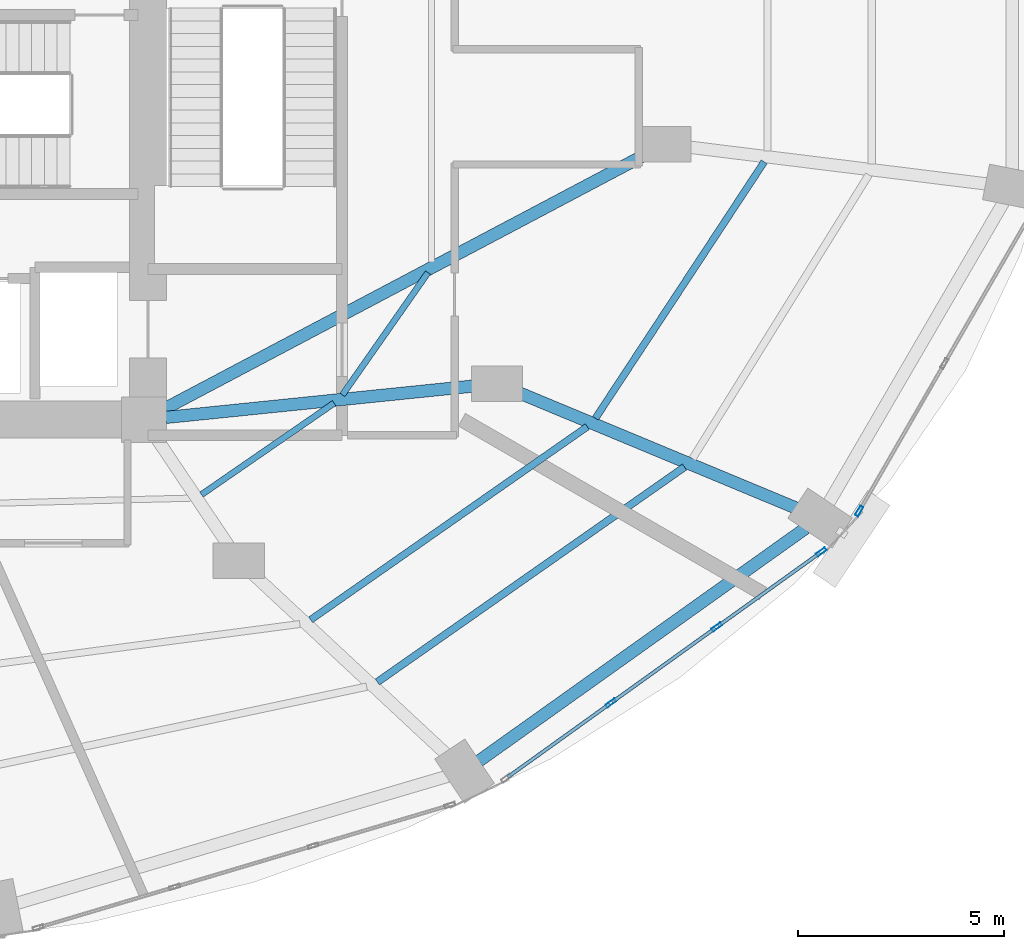
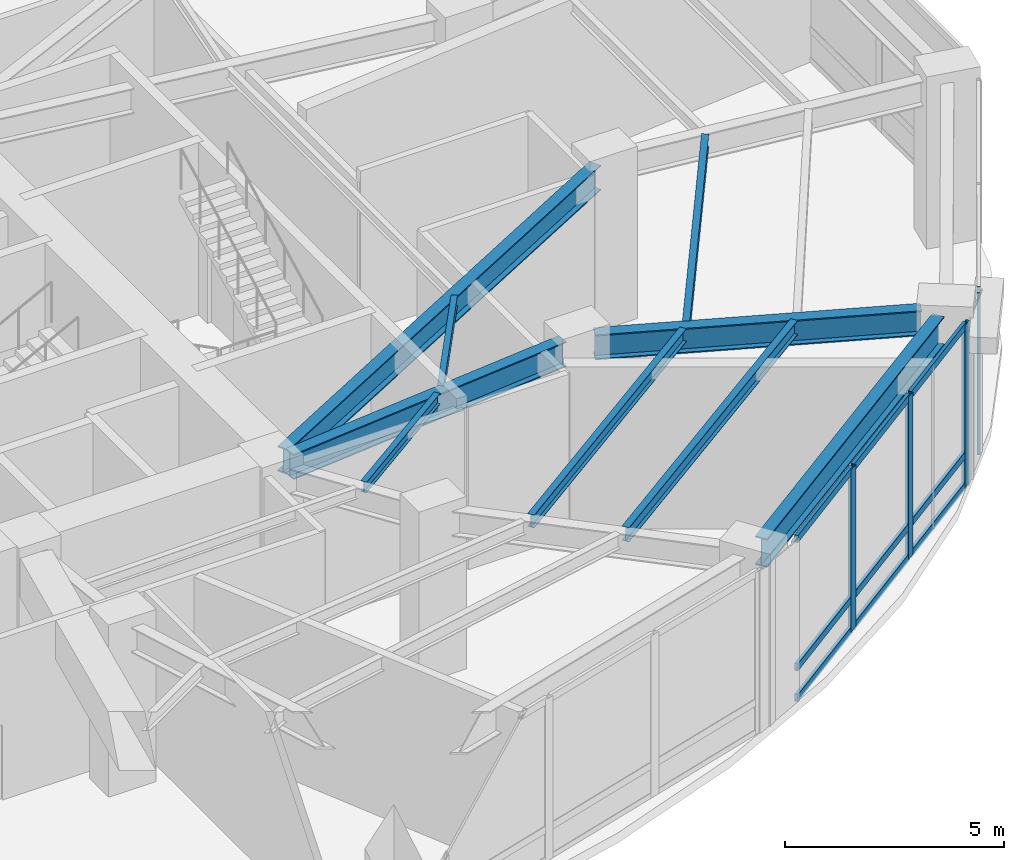
# One storey, part 11 of 24: 13 members, 9 beams, 2 elements without a shape of their own.
"""IFC4 building model written with IfcOpenShell, lengths in metres."""

from ifc_helpers import new_model, si_unit, direction, frame, origin, origin_2d, place, context, subcontext, project, spatial, hollow_rectangle, i_section, extrude, material, layer, layer_set, material_profile, profile_set, type_object, element, aggregate, save


model = new_model("IFC4")

# Units and contexts
model_context = context("Model", 3, precision=1e-05, world=origin(), true_north=direction((0.0, 1.0)))
body_context = subcontext(model_context, "Body", "Model", "MODEL_VIEW")
ifc_project = project(units=[si_unit("LENGTHUNIT", "METRE"), si_unit("AREAUNIT", "SQUARE_METRE"), si_unit("VOLUMEUNIT", "CUBIC_METRE"), si_unit("PLANEANGLEUNIT", "RADIAN"), si_unit("MASSUNIT", "GRAM", prefix="KILO")], contexts=[model_context])

# Site, building, storey
site_placement = place(None, origin())
site = spatial("IfcSite", under=ifc_project, at=site_placement, CompositionType="ELEMENT")
building_placement = place(site_placement, origin())
building = spatial("IfcBuilding", under=site, at=building_placement, Name="Lazwardi Medical Tower", CompositionType="ELEMENT")
storey_placement = place(building_placement, frame((0.0, 0.0, 6.0)))
storey = spatial("IfcBuildingStorey", under=building, at=storey_placement, Name="L01", CompositionType="ELEMENT", Elevation=6.0)

# Beams
ifc_material_1 = material(Name="Steel S355", Category="steel")
ifc_material_profile_1 = material_profile(ifc_material_1, i_section(OverallWidth=0.300048828125, OverallDepth=0.800048828125, WebThickness=0.017578125, FlangeThickness=0.032958984375, at=origin_2d()), Name="HEB 800")
ifc_profile_set_1 = profile_set([ifc_material_profile_1], Name="Steel S355")
beam_type_1 = type_object("IfcBeamType", Name="BM-RB-P1", PredefinedType="BEAM", material=ifc_profile_set_1)
beam_1_placement = place(storey_placement, frame((53.739501953125, 12.107666015625, 4.1201171875), z_axis=(0.814437186887, 0.580251728663, 0.0), x_axis=(-0.580251728663, 0.814437186887, 0.0)))
element("IfcBeam", 1, at=beam_1_placement, inside=storey, type_object=beam_type_1, Name="Ring beam RB-01 B02 L01", PredefinedType="BEAM", context=body_context, shape_type="SweptSolid", body=[
    extrude(i_section(OverallWidth=0.300048828125, OverallDepth=0.800048828125, WebThickness=0.017578125, FlangeThickness=0.032958984375, at=origin_2d()), origin(), (0.0, 0.0, 1.0), 9.743408203125),
])
ifc_material_profile_2 = material_profile(ifc_material_1, i_section(OverallWidth=0.300048828125, OverallDepth=0.699951171875, WebThickness=0.01708984375, FlangeThickness=0.031982421875, at=origin_2d()), Name="HEB 700")
ifc_profile_set_2 = profile_set([ifc_material_profile_2], Name="Steel S355")
beam_type_2 = type_object("IfcBeamType", Name="BM-RG-P1", PredefinedType="BEAM", material=ifc_profile_set_2)
beam_2_placement = place(storey_placement, frame((61.489501953125, 18.233642578125, 4.169921875), z_axis=(-0.923279462658, 0.38412892866, 0.0), x_axis=(-0.38412892866, -0.923279462658, 0.0)))
element("IfcBeam", 2, at=beam_2_placement, inside=storey, type_object=beam_type_2, Name="Radial girder RG-01 R03A L01", PredefinedType="BEAM", context=body_context, shape_type="SweptSolid", body=[
    extrude(i_section(OverallWidth=0.300048828125, OverallDepth=0.699951171875, WebThickness=0.01708984375, FlangeThickness=0.031982421875, at=origin_2d()), origin(), (0.0, 0.0, 1.0), 7.52001953125),
])
beam_3_placement = place(storey_placement, frame((53.779052734375, 21.2353515625, 4.169921875), z_axis=(-0.994824908551, -0.101604140299, 0.0), x_axis=(0.101604140299, -0.994824908551, 0.0)))
element("IfcBeam", 3, at=beam_3_placement, inside=storey, type_object=beam_type_2, Name="Radial girder RG-01 R03B L01", PredefinedType="BEAM", context=body_context, shape_type="SweptSolid", body=[
    extrude(i_section(OverallWidth=0.300048828125, OverallDepth=0.699951171875, WebThickness=0.01708984375, FlangeThickness=0.031982421875, at=origin_2d()), origin(), (0.0, 0.0, 1.0), 7.686767578125),
])
beam_4_placement = place(storey_placement, frame((57.909423828125, 26.906982421875, 4.169921875), z_axis=(-0.884073844977, -0.467347233466, 0.0), x_axis=(0.467347233466, -0.884073844977, 0.0)))
element("IfcBeam", 4, at=beam_4_placement, inside=storey, type_object=beam_type_2, Name="Radial girder RG-01 R04B L01", PredefinedType="BEAM", context=body_context, shape_type="SweptSolid", body=[
    extrude(i_section(OverallWidth=0.300048828125, OverallDepth=0.699951171875, WebThickness=0.01708984375, FlangeThickness=0.031982421875, at=origin_2d()), origin(), (0.0, 0.0, 1.0), 13.388427734375),
])
ifc_material_profile_3 = material_profile(ifc_material_1, i_section(OverallWidth=0.179931640625, OverallDepth=0.39990234375, WebThickness=0.008544921875, FlangeThickness=0.013427734375, at=origin_2d()), Name="IPE 400")
ifc_profile_set_3 = profile_set([ifc_material_profile_3], Name="Steel S355")
beam_type_3 = type_object("IfcBeamType", Name="BM-SJ-01", PredefinedType="JOIST", material=ifc_profile_set_3)
beam_5_placement = place(storey_placement, frame((51.27099609375, 14.025634765625, 4.320068359375), z_axis=(0.819249551022, 0.573437157106, 0.0), x_axis=(-0.573437157106, 0.819249551022, 0.0)))
element("IfcBeam", 5, at=beam_5_placement, inside=storey, type_object=beam_type_3, Name="Secondary joist SJ-01 RO1 B02 L01", PredefinedType="JOIST", context=body_context, shape_type="SweptSolid", body=[
    extrude(i_section(OverallWidth=0.179931640625, OverallDepth=0.39990234375, WebThickness=0.008544921875, FlangeThickness=0.013427734375, at=origin_2d()), origin(), (0.0, 0.0, 1.0), 9.107666015625),
])
ifc_material_profile_4 = material_profile(ifc_material_1, i_section(OverallWidth=0.169921875, OverallDepth=0.360107421875, WebThickness=0.008056640625, FlangeThickness=0.0126953125, at=origin_2d()), Name="IPE 360")
ifc_profile_set_4 = profile_set([ifc_material_profile_4], Name="Steel S355")
beam_type_4 = type_object("IfcBeamType", Name="BM-SJ-02", PredefinedType="JOIST", material=ifc_profile_set_4)
beam_6_placement = place(storey_placement, frame((49.6494140625, 15.536865234375, 4.340087890625), z_axis=(0.819914041095, 0.572486650688, 0.0), x_axis=(-0.572486650688, 0.819914041095, 0.0)))
element("IfcBeam", 6, at=beam_6_placement, inside=storey, type_object=beam_type_4, Name="Secondary joist SJ-02 RO2 B02 L01", PredefinedType="JOIST", context=body_context, shape_type="SweptSolid", body=[
    extrude(i_section(OverallWidth=0.169921875, OverallDepth=0.360107421875, WebThickness=0.008056640625, FlangeThickness=0.0126953125, at=origin_2d()), origin(), (0.0, 0.0, 1.0), 8.19873046875),
])
beam_7_placement = place(storey_placement, frame((56.570068359375, 20.4345703125, 4.340087890625), z_axis=(0.549697059584, 0.835364077924, 0.0), x_axis=(-0.835364077924, 0.549697059584, 0.0)))
element("IfcBeam", 7, at=beam_7_placement, inside=storey, type_object=beam_type_4, Name="Secondary joist SJ-02 RO2 B03 L01", PredefinedType="JOIST", context=body_context, shape_type="SweptSolid", body=[
    extrude(i_section(OverallWidth=0.169921875, OverallDepth=0.360107421875, WebThickness=0.008056640625, FlangeThickness=0.0126953125, at=origin_2d()), origin(), (0.0, 0.0, 1.0), 7.45849609375),
])
ifc_material_profile_5 = material_profile(ifc_material_1, i_section(OverallWidth=0.14990234375, OverallDepth=0.300048828125, WebThickness=0.007080078125, FlangeThickness=0.0107421875, at=origin_2d()), Name="IPE 300")
ifc_profile_set_5 = profile_set([ifc_material_profile_5], Name="Steel S355")
beam_type_5 = type_object("IfcBeamType", Name="BM-SJ-03", PredefinedType="JOIST", material=ifc_profile_set_5)
beam_8_placement = place(storey_placement, frame((46.9970703125, 18.5791015625, 4.3701171875), z_axis=(0.823125311201, 0.567859773237, 0.0), x_axis=(-0.567859773237, 0.823125311201, 0.0)))
element("IfcBeam", 8, at=beam_8_placement, inside=storey, type_object=beam_type_5, Name="Secondary joist SJ-03 RI1 B02 L01", PredefinedType="JOIST", context=body_context, shape_type="SweptSolid", body=[
    extrude(i_section(OverallWidth=0.14990234375, OverallDepth=0.300048828125, WebThickness=0.007080078125, FlangeThickness=0.0107421875, at=origin_2d()), origin(), (0.0, 0.0, 1.0), 3.91357421875),
])
beam_9_placement = place(storey_placement, frame((50.421142578125, 21.002685546875, 4.3701171875), z_axis=(0.573439745267, 0.819247739422, 0.0), x_axis=(-0.819247739422, 0.573439745267, 0.0)))
element("IfcBeam", 9, at=beam_9_placement, inside=storey, type_object=beam_type_5, Name="Secondary joist SJ-03 RI1 B03 L01", PredefinedType="JOIST", context=body_context, shape_type="SweptSolid", body=[
    extrude(i_section(OverallWidth=0.14990234375, OverallDepth=0.300048828125, WebThickness=0.007080078125, FlangeThickness=0.0107421875, at=origin_2d()), origin(), (0.0, 0.0, 1.0), 3.625244140625),
])

# Curtain wall, members
ifc_material_2 = material(Name="Anodised bronze aluminium and solar control glazing", Category="aluminium")
ifc_layer = layer(ifc_material_2, 0.219970703125)
ifc_layer_set = layer_set([ifc_layer], Name="Anodised bronze aluminium and solar control glazing")
curtain_wall_type = type_object("IfcCurtainWallType", Name="CW-SYS-01", PredefinedType="NOTDEFINED", material=ifc_layer_set)
curtain_wall_1_placement = place(storey_placement, origin())
curtain_wall_1 = element("IfcCurtainWall", 10, at=curtain_wall_1_placement, inside=storey, type_object=curtain_wall_type, Name="L01 Unitised bronze curtain wall CW-01", PredefinedType="NOTDEFINED")
ifc_material_3 = material(Name="Anodised bronze aluminium", Category="aluminium")
ifc_material_profile_6 = material_profile(ifc_material_3, hollow_rectangle(XDim=0.0849609375, YDim=0.260009765625, WallThickness=0.0048828125, at=origin_2d()), Name="ALU-MULLION 260x85x5")
ifc_profile_set_6 = profile_set([ifc_material_profile_6], Name="Anodised bronze aluminium")
member_type_1 = type_object("IfcMemberType", Name="CW-MUL-02", PredefinedType="MULLION", material=ifc_profile_set_6)
member_1_placement = place(storey_placement, frame((56.944580078125, 13.51513671875, 0.0), z_axis=(0.0, 0.0, 1.0), x_axis=(-0.583214260584, 0.812318365083, 0.0)))
member_1 = element("IfcMember", 11, at=member_1_placement, type_object=member_type_1, Name="CW-01 mullion 2", PredefinedType="MULLION", context=body_context, shape_type="SweptSolid", body=[
    extrude(hollow_rectangle(XDim=0.0849609375, YDim=0.260009765625, WallThickness=0.0048828125, at=origin_2d()), origin(), (0.0, 0.0, 1.0), 4.52001953125),
])
member_2_placement = place(storey_placement, frame((59.517822265625, 15.36279296875, 0.0), z_axis=(0.0, 0.0, 1.0), x_axis=(-0.583214260584, 0.812318365083, 0.0)))
member_2 = element("IfcMember", 12, at=member_2_placement, type_object=member_type_1, Name="CW-01 mullion 3", PredefinedType="MULLION", context=body_context, shape_type="SweptSolid", body=[
    extrude(hollow_rectangle(XDim=0.0849609375, YDim=0.260009765625, WallThickness=0.0048828125, at=origin_2d()), origin(), (0.0, 0.0, 1.0), 4.52001953125),
])
member_3_placement = place(storey_placement, frame((62.056640625, 17.185546875, 0.0), z_axis=(0.0, 0.0, 1.0), x_axis=(-0.583214260584, 0.812318365083, 0.0)))
member_3 = element("IfcMember", 13, at=member_3_placement, type_object=member_type_1, Name="CW-01 mullion 4", PredefinedType="MULLION", context=body_context, shape_type="SweptSolid", body=[
    extrude(hollow_rectangle(XDim=0.0849609375, YDim=0.260009765625, WallThickness=0.0048828125, at=origin_2d()), origin(), (0.0, 0.0, 1.0), 4.52001953125),
])

# Curtain wall, member
curtain_wall_2_placement = place(storey_placement, origin())
curtain_wall_2 = element("IfcCurtainWall", 14, at=curtain_wall_2_placement, inside=storey, type_object=curtain_wall_type, Name="L01 Unitised bronze curtain wall CW-01", PredefinedType="NOTDEFINED")
member_4_placement = place(storey_placement, frame((62.978759765625, 18.177978515625, 0.0), z_axis=(0.0, 0.0, 1.0), x_axis=(-0.866180607783, 0.499731082384, 0.0)))
member_4 = element("IfcMember", 15, at=member_4_placement, type_object=member_type_1, Name="CW-01 mullion 1", PredefinedType="MULLION", context=body_context, shape_type="SweptSolid", body=[
    extrude(hollow_rectangle(XDim=0.0849609375, YDim=0.260009765625, WallThickness=0.0048828125, at=origin_2d()), origin(), (0.0, 0.0, 1.0), 4.52001953125),
])
aggregate(curtain_wall_2, [member_4])

# Member
ifc_material_profile_7 = material_profile(ifc_material_3, hollow_rectangle(XDim=0.0849609375, YDim=0.199951171875, WallThickness=0.00439453125, at=origin_2d()), Name="ALU-TRANSOM 200x85x4.5")
ifc_profile_set_7 = profile_set([ifc_material_profile_7], Name="Anodised bronze aluminium")
member_type_2 = type_object("IfcMemberType", Name="CW-TRN-02", PredefinedType="USERDEFINED", material=ifc_profile_set_7)
member_5_placement = place(storey_placement, frame((54.440185546875, 11.71728515625, 0.04248046875), z_axis=(0.812314954496, 0.583219010924, 0.0), x_axis=(-0.583219010924, 0.812314954496, 0.0)))
member_5 = element("IfcMember", 16, at=member_5_placement, type_object=member_type_2, Name="CW-01 transom 1.1", ObjectType="TRANSOM", PredefinedType="USERDEFINED", context=body_context, shape_type="SweptSolid", body=[
    extrude(hollow_rectangle(XDim=0.0849609375, YDim=0.199951171875, WallThickness=0.00439453125, at=origin_2d()), origin(), (0.0, 0.0, 1.0), 3.040283203125),
])

member_6_placement = place(storey_placement, frame((54.440185546875, 11.71728515625, 0.89990234375), z_axis=(0.812314954496, 0.583219010924, 0.0), x_axis=(-0.583219010924, 0.812314954496, 0.0)))
member_6 = element("IfcMember", 17, at=member_6_placement, type_object=member_type_2, Name="CW-01 transom 1.2", ObjectType="TRANSOM", PredefinedType="USERDEFINED", context=body_context, shape_type="SweptSolid", body=[
    extrude(hollow_rectangle(XDim=0.0849609375, YDim=0.199951171875, WallThickness=0.00439453125, at=origin_2d()), origin(), (0.0, 0.0, 1.0), 3.040283203125),
])

member_7_placement = place(storey_placement, frame((54.440185546875, 11.71728515625, 4.4775390625), z_axis=(0.812314954496, 0.583219010924, 0.0), x_axis=(-0.583219010924, 0.812314954496, 0.0)))
member_7 = element("IfcMember", 18, at=member_7_placement, type_object=member_type_2, Name="CW-01 transom 1.3", ObjectType="TRANSOM", PredefinedType="USERDEFINED", context=body_context, shape_type="SweptSolid", body=[
    extrude(hollow_rectangle(XDim=0.0849609375, YDim=0.199951171875, WallThickness=0.00439453125, at=origin_2d()), origin(), (0.0, 0.0, 1.0), 3.040283203125),
])

member_8_placement = place(storey_placement, frame((56.97900390625, 13.5400390625, 0.04248046875), z_axis=(0.812350668283, 0.583169265085, 0.0), x_axis=(-0.583169265085, 0.812350668283, 0.0)))
member_8 = element("IfcMember", 19, at=member_8_placement, type_object=member_type_2, Name="CW-01 transom 2.1", ObjectType="TRANSOM", PredefinedType="USERDEFINED", context=body_context, shape_type="SweptSolid", body=[
    extrude(hollow_rectangle(XDim=0.0849609375, YDim=0.199951171875, WallThickness=0.00439453125, at=origin_2d()), origin(), (0.0, 0.0, 1.0), 3.0830078125),
])

member_9_placement = place(storey_placement, frame((56.97900390625, 13.5400390625, 0.89990234375), z_axis=(0.812350668283, 0.583169265085, 0.0), x_axis=(-0.583169265085, 0.812350668283, 0.0)))
member_9 = element("IfcMember", 20, at=member_9_placement, type_object=member_type_2, Name="CW-01 transom 2.2", ObjectType="TRANSOM", PredefinedType="USERDEFINED", context=body_context, shape_type="SweptSolid", body=[
    extrude(hollow_rectangle(XDim=0.0849609375, YDim=0.199951171875, WallThickness=0.00439453125, at=origin_2d()), origin(), (0.0, 0.0, 1.0), 3.0830078125),
])

member_10_placement = place(storey_placement, frame((56.97900390625, 13.5400390625, 4.4775390625), z_axis=(0.812350668283, 0.583169265085, 0.0), x_axis=(-0.583169265085, 0.812350668283, 0.0)))
member_10 = element("IfcMember", 21, at=member_10_placement, type_object=member_type_2, Name="CW-01 transom 2.3", ObjectType="TRANSOM", PredefinedType="USERDEFINED", context=body_context, shape_type="SweptSolid", body=[
    extrude(hollow_rectangle(XDim=0.0849609375, YDim=0.199951171875, WallThickness=0.00439453125, at=origin_2d()), origin(), (0.0, 0.0, 1.0), 3.0830078125),
])

member_11_placement = place(storey_placement, frame((59.55224609375, 15.387451171875, 0.04248046875), z_axis=(0.812314954496, 0.583219010924, 0.0), x_axis=(-0.583219010924, 0.812314954496, 0.0)))
member_11 = element("IfcMember", 22, at=member_11_placement, type_object=member_type_2, Name="CW-01 transom 3.1", ObjectType="TRANSOM", PredefinedType="USERDEFINED", context=body_context, shape_type="SweptSolid", body=[
    extrude(hollow_rectangle(XDim=0.0849609375, YDim=0.199951171875, WallThickness=0.00439453125, at=origin_2d()), origin(), (0.0, 0.0, 1.0), 3.040283203125),
])

member_12_placement = place(storey_placement, frame((59.55224609375, 15.387451171875, 0.89990234375), z_axis=(0.812314954496, 0.583219010924, 0.0), x_axis=(-0.583219010924, 0.812314954496, 0.0)))
member_12 = element("IfcMember", 23, at=member_12_placement, type_object=member_type_2, Name="CW-01 transom 3.2", ObjectType="TRANSOM", PredefinedType="USERDEFINED", context=body_context, shape_type="SweptSolid", body=[
    extrude(hollow_rectangle(XDim=0.0849609375, YDim=0.199951171875, WallThickness=0.00439453125, at=origin_2d()), origin(), (0.0, 0.0, 1.0), 3.040283203125),
])

member_13_placement = place(storey_placement, frame((59.55224609375, 15.387451171875, 4.4775390625), z_axis=(0.812314954496, 0.583219010924, 0.0), x_axis=(-0.583219010924, 0.812314954496, 0.0)))
member_13 = element("IfcMember", 24, at=member_13_placement, type_object=member_type_2, Name="CW-01 transom 3.3", ObjectType="TRANSOM", PredefinedType="USERDEFINED", context=body_context, shape_type="SweptSolid", body=[
    extrude(hollow_rectangle(XDim=0.0849609375, YDim=0.199951171875, WallThickness=0.00439453125, at=origin_2d()), origin(), (0.0, 0.0, 1.0), 3.040283203125),
])

aggregate(curtain_wall_1, [member_1, member_2, member_3, member_5, member_6, member_7, member_8, member_9, member_10, member_11, member_12, member_13])

save(model, "model.ifc")
